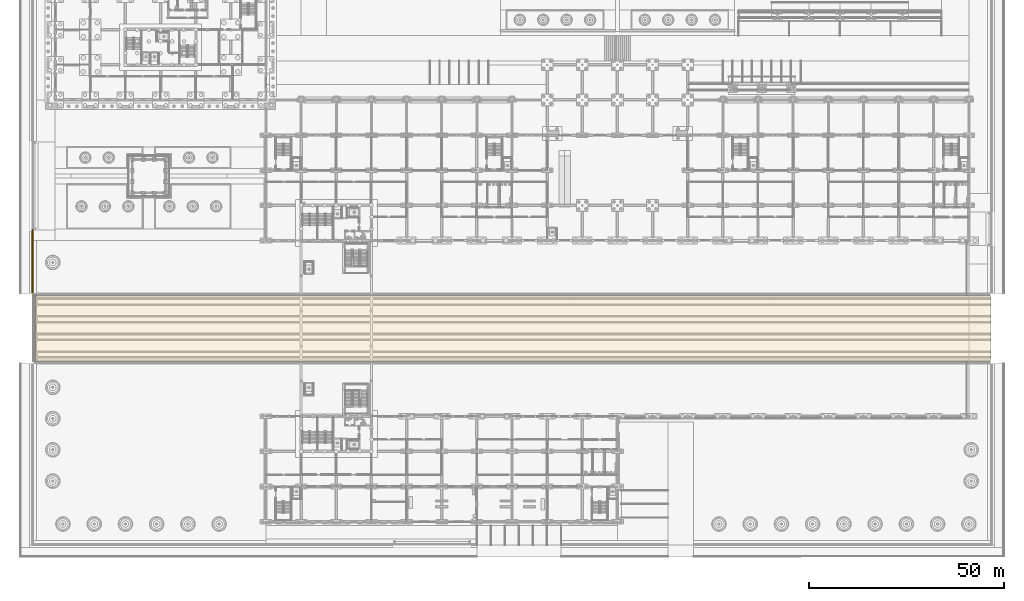
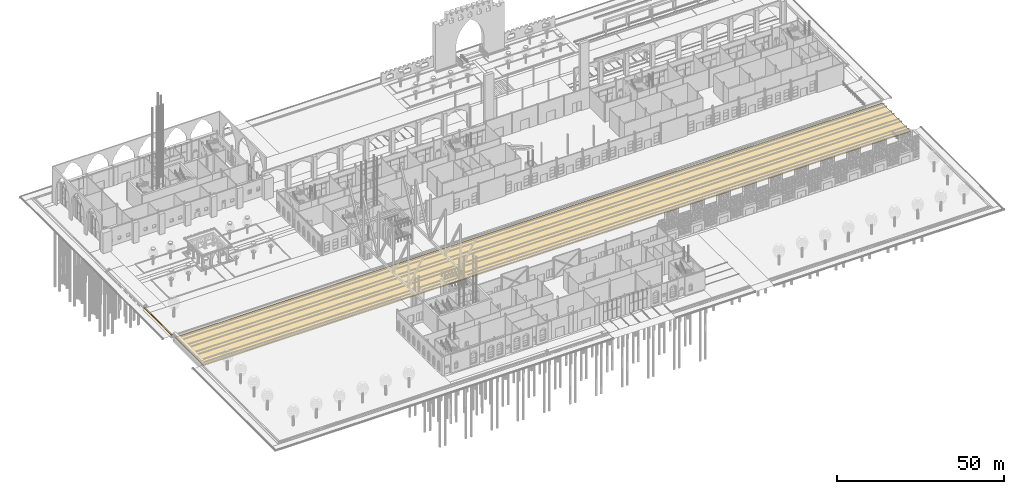
# One storey, part 178 of 250: 2 coverings.
"""IFC4 building model written with IfcOpenShell, lengths in metres."""

from ifc_helpers import new_model, si_unit, direction, frame, origin, place, context, subcontext, project, spatial, polyline, outline, extrude, material, layer, layer_set, type_object, element, save


model = new_model("IFC4")

# Units and contexts
model_context = context("Model", 3, precision=1e-05, world=origin(), true_north=direction((0.0, 1.0)))
body_context = subcontext(model_context, "Body", "Model", "MODEL_VIEW")
ifc_project = project(units=[si_unit("LENGTHUNIT", "METRE"), si_unit("AREAUNIT", "SQUARE_METRE"), si_unit("VOLUMEUNIT", "CUBIC_METRE"), si_unit("PLANEANGLEUNIT", "RADIAN"), si_unit("MASSUNIT", "GRAM", prefix="KILO")], contexts=[model_context])

# Site, building, storey
site_placement = place(None, origin())
site = spatial("IfcSite", under=ifc_project, at=site_placement, CompositionType="ELEMENT")
building_placement = place(site_placement, origin())
building = spatial("IfcBuilding", under=site, at=building_placement, Name="Baradari Gate Terminus", CompositionType="ELEMENT")
storey_placement = place(building_placement, origin())
storey = spatial("IfcBuildingStorey", under=building, at=storey_placement, Name="L00", CompositionType="ELEMENT", Elevation=0.0)

# Coverings
ifc_material_1 = material(Name="Sandstone", Category="masonry")
ifc_layer_1 = layer(ifc_material_1, 0.080078125)
ifc_layer_set_1 = layer_set([ifc_layer_1], Name="Sandstone")
covering_type_1 = type_object("IfcCoveringType", Name="Stone coping CG-1 80", PredefinedType="CLADDING", material=ifc_layer_set_1)
covering_1_placement = place(storey_placement, origin())
element("IfcCovering", 1, at=covering_1_placement, inside=storey, type_object=covering_type_1, Name="Stone coping W2", PredefinedType="CLADDING", context=body_context, shape_type="SweptSolid", body=[
    extrude(outline(polyline([(3.39990234375, 67.5), (3.39990234375, 84.0), (3.0, 84.0), (3.0, 67.5), (3.39990234375, 67.5)])), origin(), (0.0, 0.0, 1.0), 0.080078125),
])
ifc_material_2 = material(Name="Ballast")
ifc_layer_2 = layer(ifc_material_2, 0.35009765625)
ifc_layer_set_2 = layer_set([ifc_layer_2], Name="Ballast")
covering_type_2 = type_object("IfcCoveringType", Name="Track ballast BL1 350", PredefinedType="FLOORING", material=ifc_layer_set_2)
covering_2_placement = place(storey_placement, frame((0.0, 0.0, -1.072021484375)))
element("IfcCovering", 2, at=covering_2_placement, inside=storey, type_object=covering_type_2, Name="Track ballast", PredefinedType="FLOORING", context=body_context, shape_type="SweptSolid", body=[
    extrude(outline(polyline([(4.0, 50.050048828125), (248.5, 50.050048828125), (248.5, 66.949951171875), (4.0, 66.949951171875), (4.0, 50.050048828125)])), origin(), (0.0, 0.0, 1.0), 0.35009765625),
])

save(model, "model.ifc")
